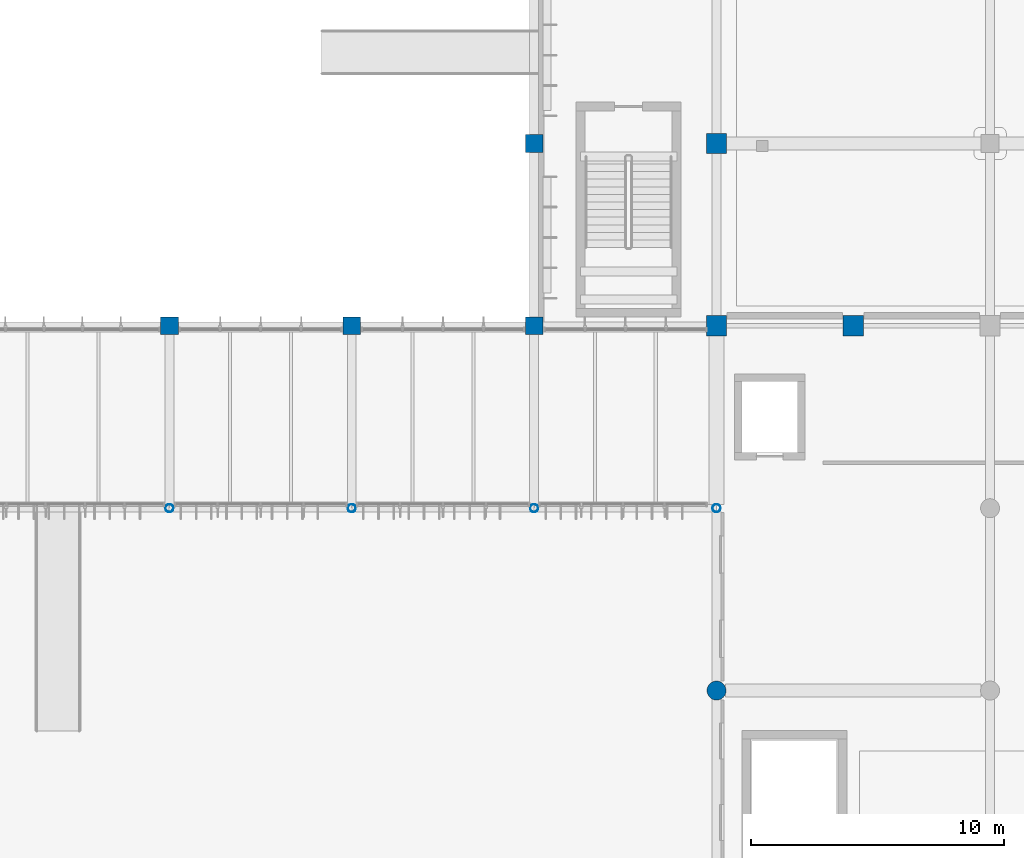
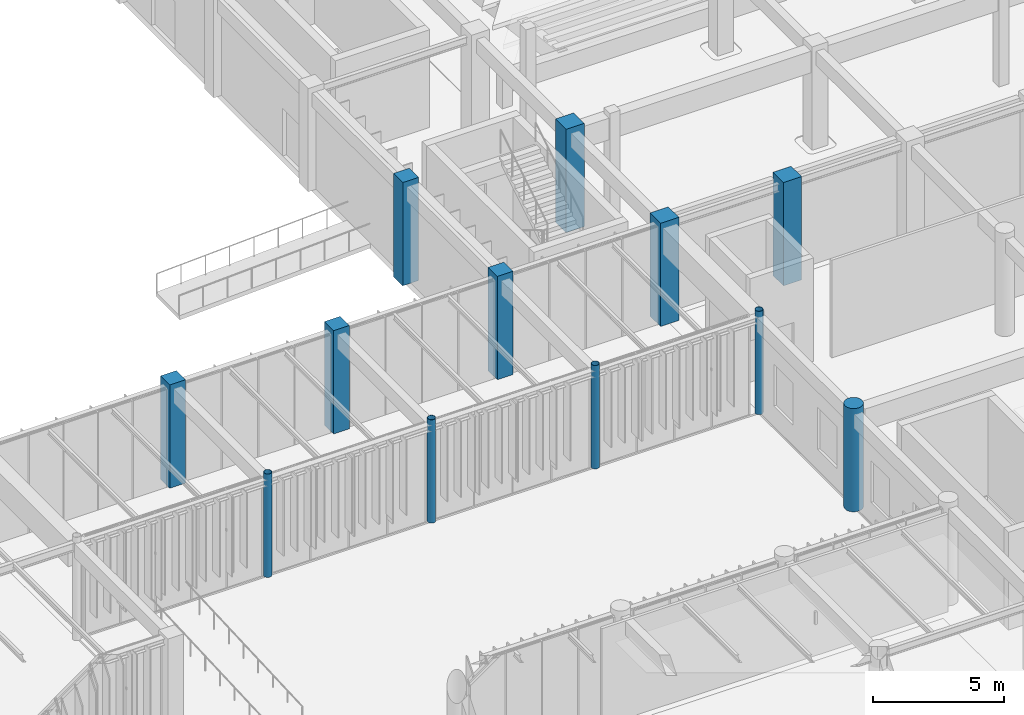
# One storey, part 3 of 122: 12 columns.
"""IFC4 building model written with IfcOpenShell, lengths in metres."""

from ifc_helpers import new_model, si_unit, direction, frame, origin, origin_2d, place, context, subcontext, project, spatial, rectangle, circle, hollow_circle, extrude, material, material_profile, profile_set, type_object, element, save


model = new_model("IFC4")

# Units and contexts
model_context = context("Model", 3, precision=1e-05, world=origin(), true_north=direction((0.0, 1.0)))
body_context = subcontext(model_context, "Body", "Model", "MODEL_VIEW")
ifc_project = project(units=[si_unit("LENGTHUNIT", "METRE"), si_unit("AREAUNIT", "SQUARE_METRE"), si_unit("VOLUMEUNIT", "CUBIC_METRE"), si_unit("PLANEANGLEUNIT", "RADIAN"), si_unit("MASSUNIT", "GRAM", prefix="KILO")], contexts=[model_context])

# Site, building, storey
site_placement = place(None, origin())
site = spatial("IfcSite", under=ifc_project, at=site_placement, CompositionType="ELEMENT")
building_placement = place(site_placement, origin())
building = spatial("IfcBuilding", under=site, at=building_placement, Name="Tazoul Stagehouse", CompositionType="ELEMENT")
storey_placement = place(building_placement, origin())
storey = spatial("IfcBuildingStorey", under=building, at=storey_placement, Name="L00", CompositionType="ELEMENT", Elevation=0.0)

# Columns
ifc_material_1 = material(Name="Concrete C40/50", Category="concrete")
ifc_material_profile_1 = material_profile(ifc_material_1, circle(Radius=0.375, at=origin_2d()), Name="RC D750")
ifc_profile_set_1 = profile_set([ifc_material_profile_1], Name="Concrete C40/50")
column_type_1 = type_object("IfcColumnType", Name="RC Circular Column D750 (Exterior)", PredefinedType="COLUMN", material=ifc_profile_set_1)
column_placement = place(storey_placement, frame((57.60009765625, 37.39990234375, 0.0), z_axis=(0.0, 0.0, 1.0), x_axis=(1.0, 0.0, 0.0)))
element("IfcColumn", 1, at=column_placement, inside=storey, type_object=column_type_1, Name="L00 Column C-08E at 8/F", PredefinedType="COLUMN", context=body_context, shape_type="SweptSolid", body=[
    extrude(circle(Radius=0.375, at=origin_2d()), origin(), (0.0, 0.0, 1.0), 4.800048828125),
])
ifc_material_profile_2 = material_profile(ifc_material_1, rectangle(XDim=0.699951171875, YDim=0.699951171875, at=origin_2d()), Name="RC 700x700")
ifc_profile_set_2 = profile_set([ifc_material_profile_2], Name="Concrete C40/50")
column_type_2 = type_object("IfcColumnType", Name="RC Column 700x700 (Exterior)", PredefinedType="COLUMN", material=ifc_profile_set_2)
for number, where, z_axis, x_axis, name in (
    (2, (36.0, 51.800048828125, 0.0), (0.0, 0.0, 1.0), (1.0, 0.0, 0.0), "L00 Column C-04E at 5/H"),
    (3, (43.199951171875, 51.800048828125, 0.0), (0.0, 0.0, 1.0), (1.0, 0.0, 0.0), "L00 Column C-04E at 6/H"),
    (4, (50.39990234375, 51.800048828125, 0.0), (0.0, 0.0, 1.0), (1.0, 0.0, 0.0), "L00 Column C-04E at 7/H"),
    (5, (50.39990234375, 59.0, 0.0), (0.0, 0.0, 1.0), (1.0, 0.0, 0.0), "L00 Column C-04E at 7/J"),
):
    element("IfcColumn", number, at=place(storey_placement, frame(where, z_axis=z_axis, x_axis=x_axis)), inside=storey, type_object=column_type_2, Name=name, PredefinedType="COLUMN", context=body_context, shape_type="SweptSolid", body=[
        extrude(rectangle(XDim=0.699951171875, YDim=0.699951171875, at=origin_2d()), origin(), (0.0, 0.0, 1.0), 4.800048828125),
    ])
ifc_material_profile_3 = material_profile(ifc_material_1, rectangle(XDim=0.800048828125, YDim=0.800048828125, at=origin_2d()), Name="RC 800x800")
ifc_profile_set_3 = profile_set([ifc_material_profile_3], Name="Concrete C40/50")
column_type_3 = type_object("IfcColumnType", Name="RC Column 800x800", PredefinedType="COLUMN", material=ifc_profile_set_3)
for number, where, z_axis, x_axis, name in (
    (6, (57.60009765625, 51.800048828125, 0.0), (0.0, 0.0, 1.0), (1.0, 0.0, 0.0), "L00 Column C-05 at 8/H"),
    (7, (57.60009765625, 59.0, 0.0), (0.0, 0.0, 1.0), (1.0, 0.0, 0.0), "L00 Column C-05 at 8/J"),
    (8, (63.0, 51.800048828125, 0.0), (0.0, 0.0, 1.0), (1.0, 0.0, 0.0), "L00 Column C-05 at 9/H"),
):
    element("IfcColumn", number, at=place(storey_placement, frame(where, z_axis=z_axis, x_axis=x_axis)), inside=storey, type_object=column_type_3, Name=name, PredefinedType="COLUMN", context=body_context, shape_type="SweptSolid", body=[
        extrude(rectangle(XDim=0.800048828125, YDim=0.800048828125, at=origin_2d()), origin(), (0.0, 0.0, 1.0), 4.800048828125),
    ])
ifc_material_2 = material(Name="Steel S355", Category="steel")
ifc_material_profile_4 = material_profile(ifc_material_2, hollow_circle(Radius=0.161865234375, WallThickness=0.012451171875, at=origin_2d()), Name="CHS 323.9x12.5")
ifc_profile_set_4 = profile_set([ifc_material_profile_4], Name="Steel S355")
column_type_4 = type_object("IfcColumnType", Name="Steel Arcade Column CHS 323.9x12.5 (Exterior)", PredefinedType="COLUMN", material=ifc_profile_set_4)
for number, where, z_axis, x_axis, name in (
    (9, (36.0, 44.60009765625, 0.0), (0.0, 0.0, 1.0), (1.0, 0.0, 0.0), "L00 Column SC-07E at 5/G"),
    (10, (43.199951171875, 44.60009765625, 0.0), (0.0, 0.0, 1.0), (1.0, 0.0, 0.0), "L00 Column SC-07E at 6/G"),
    (11, (50.39990234375, 44.60009765625, 0.0), (0.0, 0.0, 1.0), (1.0, 0.0, 0.0), "L00 Column SC-07E at 7/G"),
    (12, (57.60009765625, 44.60009765625, 0.0), (0.0, 0.0, 1.0), (1.0, 0.0, 0.0), "L00 Column SC-07E at 8/G"),
):
    element("IfcColumn", number, at=place(storey_placement, frame(where, z_axis=z_axis, x_axis=x_axis)), inside=storey, type_object=column_type_4, Name=name, PredefinedType="COLUMN", context=body_context, shape_type="SweptSolid", body=[
        extrude(hollow_circle(Radius=0.161865234375, WallThickness=0.012451171875, at=origin_2d()), origin(), (0.0, 0.0, 1.0), 4.800048828125),
    ])

save(model, "model.ifc")
